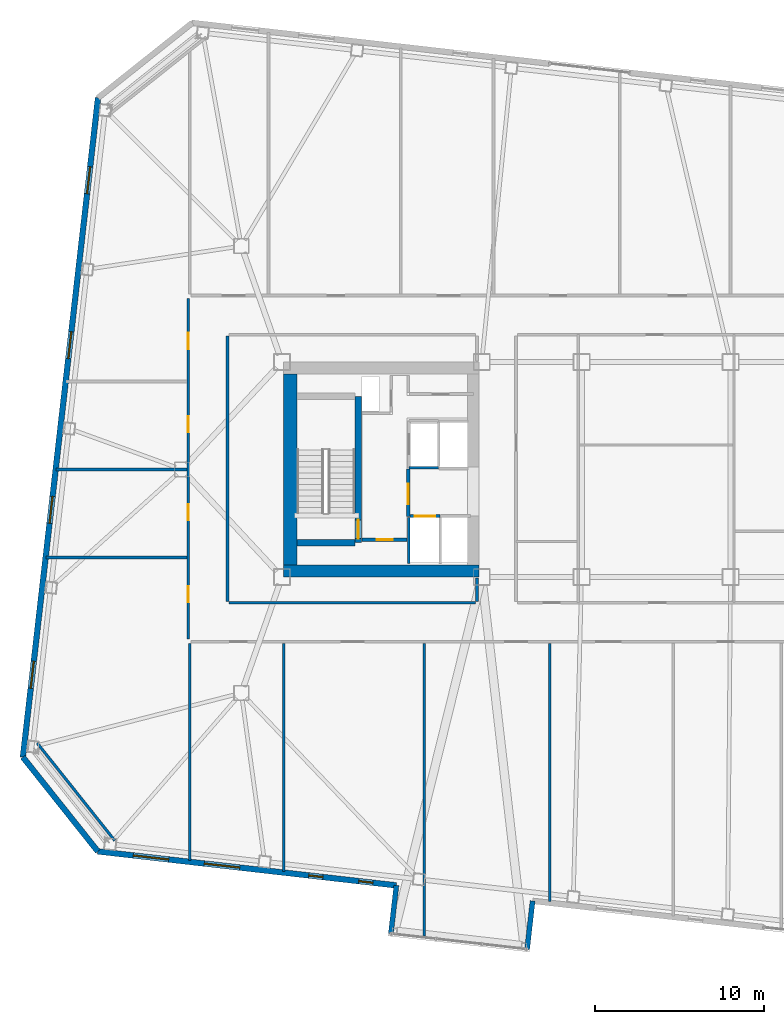
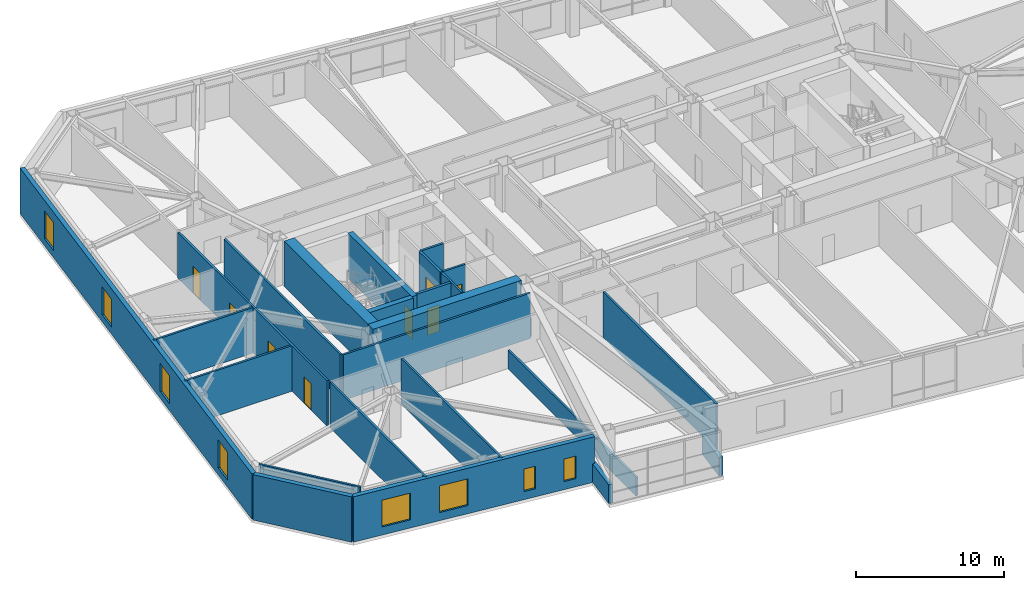
# One storey, part 12 of 22: 25 walls, 8 doors, 8 windows, 16 openings.
"""IFC4 building model written with IfcOpenShell, lengths in metres."""

from ifc_helpers import new_model, si_unit, direction, frame, frame_2d, origin, place, context, subcontext, project, spatial, rectangle, extrude, material, layer, layer_set, type_object, element, fill, save


model = new_model("IFC4")

# Units and contexts
model_context = context("Model", 3, precision=1e-05, world=origin(), true_north=direction((0.0, 1.0)))
body_context = subcontext(model_context, "Body", "Model", "MODEL_VIEW")
ifc_project = project(units=[si_unit("LENGTHUNIT", "METRE"), si_unit("AREAUNIT", "SQUARE_METRE"), si_unit("VOLUMEUNIT", "CUBIC_METRE"), si_unit("PLANEANGLEUNIT", "RADIAN"), si_unit("MASSUNIT", "GRAM", prefix="KILO")], contexts=[model_context])

# Site, building, storey
site_placement = place(None, origin())
site = spatial("IfcSite", under=ifc_project, at=site_placement, CompositionType="ELEMENT")
building_placement = place(site_placement, origin())
building = spatial("IfcBuilding", under=site, at=building_placement, Name="Tavrogorsk Clinical Tower", CompositionType="ELEMENT")
storey_placement = place(building_placement, frame((0.0, 0.0, 93.39990234375)))
storey = spatial("IfcBuildingStorey", under=building, at=storey_placement, Name="L20", CompositionType="ELEMENT", Elevation=93.39990234375)

# Wall, opening, door
ifc_material_1 = material(Name="Concrete B60", Category="concrete")
ifc_layer_1 = layer(ifc_material_1, 0.199951171875)
ifc_layer_set_1 = layer_set([ifc_layer_1], Name="Concrete B60")
wall_type_1 = type_object("IfcWallType", Name="CoreFireWall_200", PredefinedType="SOLIDWALL", material=ifc_layer_set_1)
wall_1_placement = place(storey_placement, frame((-17.3798828125, -4.139892578125, 0.0), z_axis=(0.0, 0.0, 1.0), x_axis=(1.0, 0.0, 0.0)))
wall_1 = element("IfcWall", 1, at=wall_1_placement, inside=storey, type_object=wall_type_1, Name="L20 Core West South Core Room Fire Wall", PredefinedType="SOLIDWALL", context=body_context, shape_type="SweptSolid", body=[
    extrude(rectangle(XDim=2.659912109375, YDim=0.199951171875, at=frame_2d((1.330078125, 0.0))), origin(), (0.0, 0.0, 1.0), 3.739990234375),
])
opening_1_placement = place(wall_1_placement, frame((0.8798828125, 0.0, 0.0)))
opening_1 = element("IfcOpeningElement", 2, at=opening_1_placement, cuts=wall_1, Name="Opening ID-02", PredefinedType="OPENING", context=body_context, shape_type="SweptSolid", body=[
    extrude(rectangle(XDim=0.949951171875, YDim=2.199951171875, at=frame_2d((0.47509765625, 1.10009765625))), frame((0.0, 0.10986328125, 0.0), z_axis=(0.0, -1.0, 0.0), x_axis=(1.0, 0.0, 0.0)), (0.0, 0.0, 1.0), 0.219970703125),
])
ifc_material_2 = material(Name="Laminated timber leaf on aluminium frame", Category="wood")
door_type_1 = type_object("IfcDoorType", Name="InteriorDoor_ID02_950", OperationType="NOTDEFINED", PredefinedType="DOOR", material=ifc_material_2)
door_1_placement = place(opening_1_placement, origin())
door_1 = element("IfcDoor", 3, at=door_1_placement, inside=storey, type_object=door_type_1, Name="L20 Core West South Core Room Door", OperationType="SINGLE_SWING_RIGHT", OverallHeight=2.199951171875, OverallWidth=0.949951171875, PredefinedType="DOOR", context=body_context, shape_type="SweptSolid", body=[
    extrude(rectangle(XDim=0.949951171875, YDim=2.199951171875, at=frame_2d((0.47509765625, 1.10009765625))), frame((0.0, 0.02490234375, 0.0), z_axis=(0.0, -1.0, 0.0), x_axis=(1.0, 0.0, 0.0)), (0.0, 0.0, 1.0), 0.050048828125),
])
fill(opening_1, door_1)

wall_2_placement = place(storey_placement, frame((-14.639892578125, -2.780029296875, 0.0), z_axis=(0.0, 0.0, 1.0), x_axis=(0.0, 1.0, 0.0)))
wall_2 = element("IfcWall", 4, at=wall_2_placement, inside=storey, type_object=wall_type_1, Name="L20 Core West Firefighting Lobby Fire Wall", PredefinedType="SOLIDWALL", context=body_context, shape_type="SweptSolid", body=[
    extrude(rectangle(XDim=2.820068359375, YDim=0.199951171875, at=frame_2d((1.41015625, 0.0))), origin(), (0.0, 0.0, 1.0), 3.739990234375),
])
opening_2_placement = place(wall_2_placement, frame((0.72998046875, 0.0, 0.0)))
opening_2 = element("IfcOpeningElement", 5, at=opening_2_placement, cuts=wall_2, Name="Opening FD-01", PredefinedType="OPENING", context=body_context, shape_type="SweptSolid", body=[
    extrude(rectangle(XDim=1.199951171875, YDim=2.199951171875, at=frame_2d((0.60009765625, 1.10009765625))), frame((0.0, 0.10986328125, 0.0), z_axis=(0.0, -1.0, 0.0), x_axis=(1.0, 0.0, 0.0)), (0.0, 0.0, 1.0), 0.219970703125),
])
ifc_material_3 = material(Name="Galvanised steel fire-rated door assembly", Category="steel")
door_type_2 = type_object("IfcDoorType", Name="FireDoor_FD01_1200", OperationType="NOTDEFINED", PredefinedType="DOOR", material=ifc_material_3)
door_2_placement = place(opening_2_placement, origin())
door_2 = element("IfcDoor", 6, at=door_2_placement, inside=storey, type_object=door_type_2, Name="L20 Core West Firefighting Lobby Entry Door", OperationType="SINGLE_SWING_RIGHT", OverallHeight=2.199951171875, OverallWidth=1.199951171875, PredefinedType="DOOR", context=body_context, shape_type="SweptSolid", body=[
    extrude(rectangle(XDim=1.199951171875, YDim=2.199951171875, at=frame_2d((0.60009765625, 1.10009765625))), frame((0.0, 0.02490234375, 0.0), z_axis=(0.0, -1.0, 0.0), x_axis=(1.0, 0.0, 0.0)), (0.0, 0.0, 1.0), 0.050048828125),
])
fill(opening_2, door_2)

# Wall
ifc_material_4 = material(Name="Lightweight concrete blockwork B15", Category="masonry")
ifc_layer_2 = layer(ifc_material_4, 0.159912109375)
ifc_layer_set_2 = layer_set([ifc_layer_2], Name="Lightweight concrete blockwork B15")
wall_type_2 = type_object("IfcWallType", Name="PartitionWall_160", PredefinedType="PARTITIONING", material=ifc_layer_set_2)
wall_3_placement = place(storey_placement, frame((-36.555908203125, -16.161865234375, 0.0), z_axis=(0.0, 0.0, 1.0), x_axis=(0.622522641622, -0.782601789334, 0.0)))
element("IfcWall", 7, at=wall_3_placement, inside=storey, type_object=wall_type_2, Name="L20 Corner Exoskeleton Brace Furring Wall 4", PredefinedType="PARTITIONING", context=body_context, shape_type="SweptSolid", body=[
    extrude(rectangle(XDim=7.354248046875, YDim=0.159912109375, at=frame_2d((3.67724609375, 0.0))), origin(), (0.0, 0.0, 1.0), 3.739990234375),
])

# Wall, openings, doors
wall_4_placement = place(storey_placement, frame((-27.6298828125, -10.014892578125, 0.0), z_axis=(0.0, 0.0, 1.0), x_axis=(0.0, 1.0, 0.0)))
wall_4 = element("IfcWall", 8, at=wall_4_placement, inside=storey, type_object=wall_type_2, Name="L20 Corridor Partition 01", PredefinedType="PARTITIONING", context=body_context, shape_type="SweptSolid", body=[
    extrude(rectangle(XDim=20.1298828125, YDim=0.159912109375, at=frame_2d((10.06494140625, 0.0))), origin(), (0.0, 0.0, 1.0), 3.739990234375),
])
opening_3_placement = place(wall_4_placement, frame((2.169189453125, 0.0, 0.0)))
opening_3 = element("IfcOpeningElement", 9, at=opening_3_placement, cuts=wall_4, Name="Opening ID-02", PredefinedType="OPENING", context=body_context, shape_type="SweptSolid", body=[
    extrude(rectangle(XDim=0.949951171875, YDim=2.199951171875, at=frame_2d((0.47509765625, 1.10009765625))), frame((0.0, 0.08984375, 0.0), z_axis=(0.0, -1.0, 0.0), x_axis=(1.0, 0.0, 0.0)), (0.0, 0.0, 1.0), 0.179931640625),
])
opening_4_placement = place(wall_4_placement, frame((7.02490234375, 0.0, 0.0)))
opening_4 = element("IfcOpeningElement", 10, at=opening_4_placement, cuts=wall_4, Name="Opening ID-02", PredefinedType="OPENING", context=body_context, shape_type="SweptSolid", body=[
    extrude(rectangle(XDim=0.949951171875, YDim=2.199951171875, at=frame_2d((0.47509765625, 1.10009765625))), frame((0.0, 0.08984375, 0.0), z_axis=(0.0, -1.0, 0.0), x_axis=(1.0, 0.0, 0.0)), (0.0, 0.0, 1.0), 0.179931640625),
])
opening_5_placement = place(wall_4_placement, frame((12.22509765625, 0.0, 0.0)))
opening_5 = element("IfcOpeningElement", 11, at=opening_5_placement, cuts=wall_4, Name="Opening ID-02", PredefinedType="OPENING", context=body_context, shape_type="SweptSolid", body=[
    extrude(rectangle(XDim=0.949951171875, YDim=2.199951171875, at=frame_2d((0.47509765625, 1.10009765625))), frame((0.0, 0.08984375, 0.0), z_axis=(0.0, -1.0, 0.0), x_axis=(1.0, 0.0, 0.0)), (0.0, 0.0, 1.0), 0.179931640625),
])
opening_6_placement = place(wall_4_placement, frame((17.130859375, 0.0, 0.0)))
opening_6 = element("IfcOpeningElement", 12, at=opening_6_placement, cuts=wall_4, Name="Opening ID-02", PredefinedType="OPENING", context=body_context, shape_type="SweptSolid", body=[
    extrude(rectangle(XDim=0.949951171875, YDim=2.199951171875, at=frame_2d((0.47509765625, 1.10009765625))), frame((0.0, 0.08984375, 0.0), z_axis=(0.0, -1.0, 0.0), x_axis=(1.0, 0.0, 0.0)), (0.0, 0.0, 1.0), 0.179931640625),
])
door_3_placement = place(opening_3_placement, origin())
door_3 = element("IfcDoor", 13, at=door_3_placement, inside=storey, type_object=door_type_1, Name="L20 W Solarium Day Room & Lounge 1 Door", OperationType="SINGLE_SWING_LEFT", OverallHeight=2.199951171875, OverallWidth=0.949951171875, PredefinedType="DOOR", context=body_context, shape_type="SweptSolid", body=[
    extrude(rectangle(XDim=0.949951171875, YDim=2.199951171875, at=frame_2d((0.47509765625, 1.10009765625))), frame((0.0, 0.02490234375, 0.0), z_axis=(0.0, -1.0, 0.0), x_axis=(1.0, 0.0, 0.0)), (0.0, 0.0, 1.0), 0.050048828125),
])
fill(opening_3, door_3)
door_4_placement = place(opening_4_placement, origin())
door_4 = element("IfcDoor", 14, at=door_4_placement, inside=storey, type_object=door_type_1, Name="L20 W Rehabilitation Therapy Suite 2 Door", OperationType="SINGLE_SWING_RIGHT", OverallHeight=2.199951171875, OverallWidth=0.949951171875, PredefinedType="DOOR", context=body_context, shape_type="SweptSolid", body=[
    extrude(rectangle(XDim=0.949951171875, YDim=2.199951171875, at=frame_2d((0.47509765625, 1.10009765625))), frame((0.0, 0.02490234375, 0.0), z_axis=(0.0, -1.0, 0.0), x_axis=(1.0, 0.0, 0.0)), (0.0, 0.0, 1.0), 0.050048828125),
])
fill(opening_4, door_4)
door_5_placement = place(opening_5_placement, origin())
door_5 = element("IfcDoor", 15, at=door_5_placement, inside=storey, type_object=door_type_1, Name="L20 W Sub-Acute Observation Suite 3 Door", OperationType="SINGLE_SWING_LEFT", OverallHeight=2.199951171875, OverallWidth=0.949951171875, PredefinedType="DOOR", context=body_context, shape_type="SweptSolid", body=[
    extrude(rectangle(XDim=0.949951171875, YDim=2.199951171875, at=frame_2d((0.47509765625, 1.10009765625))), frame((0.0, 0.02490234375, 0.0), z_axis=(0.0, -1.0, 0.0), x_axis=(1.0, 0.0, 0.0)), (0.0, 0.0, 1.0), 0.050048828125),
])
fill(opening_5, door_5)
door_6_placement = place(opening_6_placement, origin())
door_6 = element("IfcDoor", 16, at=door_6_placement, inside=storey, type_object=door_type_1, Name="L20 W Family Consultation Lounge 4 Door", OperationType="SINGLE_SWING_RIGHT", OverallHeight=2.199951171875, OverallWidth=0.949951171875, PredefinedType="DOOR", context=body_context, shape_type="SweptSolid", body=[
    extrude(rectangle(XDim=0.949951171875, YDim=2.199951171875, at=frame_2d((0.47509765625, 1.10009765625))), frame((0.0, 0.02490234375, 0.0), z_axis=(0.0, -1.0, 0.0), x_axis=(1.0, 0.0, 0.0)), (0.0, 0.0, 1.0), 0.050048828125),
])
fill(opening_6, door_6)

# Walls
wall_5_placement = place(storey_placement, frame((-10.580078125, -7.784912109375, 0.0), z_axis=(0.0, 0.0, 1.0), x_axis=(0.0, 1.0, 0.0)))
element("IfcWall", 17, at=wall_5_placement, inside=storey, type_object=wall_type_2, Name="L20 Corridor Partition 14", PredefinedType="PARTITIONING", context=body_context, shape_type="SweptSolid", body=[
    extrude(rectangle(XDim=1.364990234375, YDim=0.159912109375, at=frame_2d((0.6826171875, 0.0))), origin(), (0.0, 0.0, 1.0), 1.53515625),
])
wall_6_placement = place(storey_placement, frame((-25.320068359375, 7.885009765625, 0.0), z_axis=(0.0, 0.0, 1.0), x_axis=(0.0, -1.0, 0.0)))
element("IfcWall", 18, at=wall_6_placement, inside=storey, type_object=wall_type_2, Name="L20 Corridor Partition 17", PredefinedType="PARTITIONING", context=body_context, shape_type="SweptSolid", body=[
    extrude(rectangle(XDim=15.669921875, YDim=0.159912109375, at=frame_2d((7.8349609375, 0.0))), origin(), (0.0, 0.0, 1.0), 3.739990234375),
])
wall_7_placement = place(storey_placement, frame((-25.235107421875, -7.8701171875, 0.0), z_axis=(0.0, 0.0, 1.0), x_axis=(1.0, 0.0, 0.0)))
element("IfcWall", 19, at=wall_7_placement, inside=storey, type_object=wall_type_2, Name="L20 Corridor Partition 18", PredefinedType="PARTITIONING", context=body_context, shape_type="SweptSolid", body=[
    extrude(rectangle(XDim=14.570068359375, YDim=0.159912109375, at=frame_2d((7.28515625, 0.0))), origin(), (0.0, 0.0, 1.0), 3.739990234375),
])
wall_8_placement = place(storey_placement, frame((-27.550048828125, -23.1064453125, 0.0), z_axis=(0.0, 0.0, 1.0), x_axis=(0.0, 1.0, 0.0)))
element("IfcWall", 20, at=wall_8_placement, inside=storey, type_object=wall_type_2, Name="L20 SW Wing Closure Partition", PredefinedType="PARTITIONING", context=body_context, shape_type="SweptSolid", body=[
    extrude(rectangle(XDim=12.841552734375, YDim=0.159912109375, at=frame_2d((6.4208984375, 0.0))), origin(), (0.0, 0.0, 1.0), 3.739990234375),
])
wall_9_placement = place(storey_placement, frame((-22.0, -23.739013671875, 0.0), z_axis=(0.0, 0.0, 1.0), x_axis=(0.0, 1.0, 0.0)))
element("IfcWall", 21, at=wall_9_placement, inside=storey, type_object=wall_type_2, Name="L20 South Room Partition 1", PredefinedType="PARTITIONING", context=body_context, shape_type="SweptSolid", body=[
    extrude(rectangle(XDim=13.47412109375, YDim=0.159912109375, at=frame_2d((6.737060546875, 0.0))), origin(), (0.0, 0.0, 1.0), 3.739990234375),
])
wall_10_placement = place(storey_placement, frame((-6.287109375, -25.529052734375, 0.0), z_axis=(0.0, 0.0, 1.0), x_axis=(0.0, 1.0, 0.0)))
element("IfcWall", 22, at=wall_10_placement, inside=storey, type_object=wall_type_2, Name="L20 South Room Partition 2", PredefinedType="PARTITIONING", context=body_context, shape_type="SweptSolid", body=[
    extrude(rectangle(XDim=15.26416015625, YDim=0.159912109375, at=frame_2d((7.632080078125, 0.0))), origin(), (0.0, 0.0, 1.0), 3.739990234375),
])
wall_11_placement = place(storey_placement, frame((-13.694091796875, -27.5537109375, 0.0), z_axis=(0.0, 0.0, 1.0), x_axis=(0.0, 1.0, 0.0)))
element("IfcWall", 23, at=wall_11_placement, inside=storey, type_object=wall_type_2, Name="L20 South Sub-Partition 2", PredefinedType="PARTITIONING", context=body_context, shape_type="SweptSolid", body=[
    extrude(rectangle(XDim=17.288818359375, YDim=0.159912109375, at=frame_2d((8.64453125, 0.0))), origin(), (0.0, 0.0, 1.0), 1.53515625),
])
wall_12_placement = place(storey_placement, frame((-36.0419921875, -5.199951171875, 0.0), z_axis=(0.0, 0.0, 1.0), x_axis=(1.0, 0.0, 0.0)))
element("IfcWall", 24, at=wall_12_placement, inside=storey, type_object=wall_type_2, Name="L20 W Wing Divider 1", PredefinedType="PARTITIONING", context=body_context, shape_type="SweptSolid", body=[
    extrude(rectangle(XDim=8.326904296875, YDim=0.159912109375, at=frame_2d((4.16357421875, 0.0))), origin(), (0.0, 0.0, 1.0), 3.739990234375),
])
wall_13_placement = place(storey_placement, frame((-35.449462890625, 0.0, 0.0), z_axis=(0.0, 0.0, 1.0), x_axis=(1.0, 0.0, 0.0)))
element("IfcWall", 25, at=wall_13_placement, inside=storey, type_object=wall_type_2, Name="L20 W Wing Divider 2", PredefinedType="PARTITIONING", context=body_context, shape_type="SweptSolid", body=[
    extrude(rectangle(XDim=7.734375, YDim=0.159912109375, at=frame_2d((3.8671875, 0.0))), origin(), (0.0, 0.0, 1.0), 3.739990234375),
])

# Wall, openings, windows
ifc_material_5 = material(Name="Precast concrete B45 with limestone cladding", Category="masonry")
ifc_layer_3 = layer(ifc_material_5, 0.340087890625)
ifc_layer_set_3 = layer_set([ifc_layer_3], Name="Precast concrete B45 with limestone cladding")
wall_type_3 = type_object("IfcWallType", Name="PrecastLimestoneWall_340", PredefinedType="STANDARD", material=ifc_layer_set_3)
wall_14_placement = place(storey_placement, frame((-32.977294921875, -22.55859375, 0.0), z_axis=(0.0, 0.0, 1.0), x_axis=(0.993570699365, -0.113213362125, 0.0)))
wall_14 = element("IfcWall", 26, at=wall_14_placement, inside=storey, type_object=wall_type_3, Name="L20 S Limestone Facade Wall 1", PredefinedType="STANDARD", context=body_context, shape_type="SweptSolid", body=[
    extrude(rectangle(XDim=17.749755859375, YDim=0.340087890625, at=frame_2d((8.875, 0.0))), origin(), (0.0, 0.0, 1.0), 3.739990234375),
])
opening_7_placement = place(wall_14_placement, frame((2.10791015625, 0.0, 0.669921875)))
opening_7 = element("IfcOpeningElement", 27, at=opening_7_placement, cuts=wall_14, Name="Opening WN-03", PredefinedType="OPENING", context=body_context, shape_type="SweptSolid", body=[
    extrude(rectangle(XDim=2.10009765625, YDim=2.199951171875, at=frame_2d((1.050048828125, 1.10009765625))), frame((0.0, 0.179931640625, 0.0), z_axis=(0.0, -1.0, 0.0), x_axis=(1.0, 0.0, 0.0)), (0.0, 0.0, 1.0), 0.360107421875),
])
opening_8_placement = place(wall_14_placement, frame((6.329345703125, 0.0, 0.669921875)))
opening_8 = element("IfcOpeningElement", 28, at=opening_8_placement, cuts=wall_14, Name="Opening WN-03", PredefinedType="OPENING", context=body_context, shape_type="SweptSolid", body=[
    extrude(rectangle(XDim=2.10009765625, YDim=2.199951171875, at=frame_2d((1.050048828125, 1.10009765625))), frame((0.0, 0.179931640625, 0.0), z_axis=(0.0, -1.0, 0.0), x_axis=(1.0, 0.0, 0.0)), (0.0, 0.0, 1.0), 0.360107421875),
])
opening_9_placement = place(wall_14_placement, frame((12.534912109375, 0.0, 0.669921875)))
opening_9 = element("IfcOpeningElement", 29, at=opening_9_placement, cuts=wall_14, Name="Opening WN-06", PredefinedType="OPENING", context=body_context, shape_type="SweptSolid", body=[
    extrude(rectangle(XDim=0.85009765625, YDim=1.85009765625, at=frame_2d((0.425048828125, 0.925048828125))), frame((0.0, 0.179931640625, 0.0), z_axis=(0.0, -1.0, 0.0), x_axis=(1.0, 0.0, 0.0)), (0.0, 0.0, 1.0), 0.360107421875),
])
opening_10_placement = place(wall_14_placement, frame((15.50634765625, 0.0, 0.669921875)))
opening_10 = element("IfcOpeningElement", 30, at=opening_10_placement, cuts=wall_14, Name="Opening WN-06", PredefinedType="OPENING", context=body_context, shape_type="SweptSolid", body=[
    extrude(rectangle(XDim=0.85009765625, YDim=1.85009765625, at=frame_2d((0.425048828125, 0.925048828125))), frame((0.0, 0.179931640625, 0.0), z_axis=(0.0, -1.0, 0.0), x_axis=(1.0, 0.0, 0.0)), (0.0, 0.0, 1.0), 0.360107421875),
])
ifc_material_6 = material(Name="Thermally broken aluminium frame and triple IGU", Category="aluminium")
window_type_1 = type_object("IfcWindowType", Name="MullionSubWin_850x1850", PartitioningType="SINGLE_PANEL", PredefinedType="WINDOW", material=ifc_material_6)
window_1_placement = place(opening_9_placement, origin())
window_1 = element("IfcWindow", 31, at=window_1_placement, inside=storey, type_object=window_type_1, Name="L20 S Mullion Split Window 03B", OverallHeight=1.85009765625, OverallWidth=0.85009765625, PartitioningType="SINGLE_PANEL", PredefinedType="WINDOW", context=body_context, shape_type="SweptSolid", body=[
    extrude(rectangle(XDim=0.85009765625, YDim=1.85009765625, at=frame_2d((0.425048828125, 0.925048828125))), frame((0.0, 0.030029296875, 0.0), z_axis=(0.0, -1.0, 0.0), x_axis=(1.0, 0.0, 0.0)), (0.0, 0.0, 1.0), 0.06005859375),
])
fill(opening_9, window_1)
window_2_placement = place(opening_10_placement, origin())
window_2 = element("IfcWindow", 32, at=window_2_placement, inside=storey, type_object=window_type_1, Name="L20 S Mullion Split Window 04A", OverallHeight=1.85009765625, OverallWidth=0.85009765625, PartitioningType="SINGLE_PANEL", PredefinedType="WINDOW", context=body_context, shape_type="SweptSolid", body=[
    extrude(rectangle(XDim=0.85009765625, YDim=1.85009765625, at=frame_2d((0.425048828125, 0.925048828125))), frame((0.0, 0.030029296875, 0.0), z_axis=(0.0, -1.0, 0.0), x_axis=(1.0, 0.0, 0.0)), (0.0, 0.0, 1.0), 0.06005859375),
])
fill(opening_10, window_2)
ifc_material_7 = material(Name="Thermally broken aluminium frame and triple IGU", Category="aluminium")
window_type_2 = type_object("IfcWindowType", Name="PatientTwinWin_2100x2200", PartitioningType="DOUBLE_PANEL_VERTICAL", PredefinedType="WINDOW", material=ifc_material_7)
window_3_placement = place(opening_7_placement, origin())
window_3 = element("IfcWindow", 33, at=window_3_placement, inside=storey, type_object=window_type_2, Name="L20 S Chicago Window 01", OverallHeight=2.199951171875, OverallWidth=2.10009765625, PartitioningType="SINGLE_PANEL", PredefinedType="WINDOW", context=body_context, shape_type="SweptSolid", body=[
    extrude(rectangle(XDim=2.10009765625, YDim=2.199951171875, at=frame_2d((1.050048828125, 1.10009765625))), frame((0.0, 0.030029296875, 0.0), z_axis=(0.0, -1.0, 0.0), x_axis=(1.0, 0.0, 0.0)), (0.0, 0.0, 1.0), 0.06005859375),
])
fill(opening_7, window_3)
window_4_placement = place(opening_8_placement, origin())
window_4 = element("IfcWindow", 34, at=window_4_placement, inside=storey, type_object=window_type_2, Name="L20 S Chicago Window 02", OverallHeight=2.199951171875, OverallWidth=2.10009765625, PartitioningType="SINGLE_PANEL", PredefinedType="WINDOW", context=body_context, shape_type="SweptSolid", body=[
    extrude(rectangle(XDim=2.10009765625, YDim=2.199951171875, at=frame_2d((1.050048828125, 1.10009765625))), frame((0.0, 0.030029296875, 0.0), z_axis=(0.0, -1.0, 0.0), x_axis=(1.0, 0.0, 0.0)), (0.0, 0.0, 1.0), 0.06005859375),
])
fill(opening_8, window_4)

wall_15_placement = place(storey_placement, frame((-32.968017578125, 21.95654296875, 0.0), z_axis=(0.0, 0.0, 1.0), x_axis=(-0.113201605824, -0.993572038877, 0.0)))
wall_15 = element("IfcWall", 35, at=wall_15_placement, inside=storey, type_object=wall_type_3, Name="L20 W Pleated Limestone Wing Wall", PredefinedType="STANDARD", context=body_context, shape_type="SweptSolid", body=[
    extrude(rectangle(XDim=39.199951171875, YDim=0.340087890625, at=frame_2d((19.60009765625, 0.0))), origin(), (0.0, 0.0, 1.0), 3.739990234375),
])
opening_11_placement = place(wall_15_placement, frame((4.10009765625, 0.0, 0.580078125)))
opening_11 = element("IfcOpeningElement", 36, at=opening_11_placement, cuts=wall_15, Name="Opening WN-07", PredefinedType="OPENING", context=body_context, shape_type="SweptSolid", body=[
    extrude(rectangle(XDim=1.60009765625, YDim=2.300048828125, at=frame_2d((0.800048828125, 1.14990234375))), frame((0.0, 0.179931640625, 0.0), z_axis=(0.0, -1.0, 0.0), x_axis=(1.0, 0.0, 0.0)), (0.0, 0.0, 1.0), 0.360107421875),
])
opening_12_placement = place(wall_15_placement, frame((13.89990234375, 0.0, 0.580078125)))
opening_12 = element("IfcOpeningElement", 37, at=opening_12_placement, cuts=wall_15, Name="Opening WN-07", PredefinedType="OPENING", context=body_context, shape_type="SweptSolid", body=[
    extrude(rectangle(XDim=1.60009765625, YDim=2.300048828125, at=frame_2d((0.800048828125, 1.14990234375))), frame((0.0, 0.179931640625, 0.0), z_axis=(0.0, -1.0, 0.0), x_axis=(1.0, 0.0, 0.0)), (0.0, 0.0, 1.0), 0.360107421875),
])
opening_13_placement = place(wall_15_placement, frame((23.699951171875, 0.0, 0.580078125)))
opening_13 = element("IfcOpeningElement", 38, at=opening_13_placement, cuts=wall_15, Name="Opening WN-07", PredefinedType="OPENING", context=body_context, shape_type="SweptSolid", body=[
    extrude(rectangle(XDim=1.60009765625, YDim=2.300048828125, at=frame_2d((0.800048828125, 1.14990234375))), frame((0.0, 0.179931640625, 0.0), z_axis=(0.0, -1.0, 0.0), x_axis=(1.0, 0.0, 0.0)), (0.0, 0.0, 1.0), 0.360107421875),
])
opening_14_placement = place(wall_15_placement, frame((33.5, 0.0, 0.580078125)))
opening_14 = element("IfcOpeningElement", 39, at=opening_14_placement, cuts=wall_15, Name="Opening WN-07", PredefinedType="OPENING", context=body_context, shape_type="SweptSolid", body=[
    extrude(rectangle(XDim=1.60009765625, YDim=2.300048828125, at=frame_2d((0.800048828125, 1.14990234375))), frame((0.0, 0.179931640625, 0.0), z_axis=(0.0, -1.0, 0.0), x_axis=(1.0, 0.0, 0.0)), (0.0, 0.0, 1.0), 0.360107421875),
])
ifc_material_8 = material(Name="Thermally broken aluminium frame and triple IGU", Category="aluminium")
window_type_3 = type_object("IfcWindowType", Name="PleatSlotWin_1600x2300", PartitioningType="SINGLE_PANEL", PredefinedType="WINDOW", material=ifc_material_8)
window_5_placement = place(opening_11_placement, origin())
window_5 = element("IfcWindow", 40, at=window_5_placement, inside=storey, type_object=window_type_3, Name="L20 W Pleat Slot Window 1", OverallHeight=2.300048828125, OverallWidth=1.60009765625, PartitioningType="SINGLE_PANEL", PredefinedType="WINDOW", context=body_context, shape_type="SweptSolid", body=[
    extrude(rectangle(XDim=1.60009765625, YDim=2.300048828125, at=frame_2d((0.800048828125, 1.14990234375))), frame((0.0, 0.030029296875, 0.0), z_axis=(0.0, -1.0, 0.0), x_axis=(1.0, 0.0, 0.0)), (0.0, 0.0, 1.0), 0.06005859375),
])
fill(opening_11, window_5)
window_6_placement = place(opening_12_placement, origin())
window_6 = element("IfcWindow", 41, at=window_6_placement, inside=storey, type_object=window_type_3, Name="L20 W Pleat Slot Window 2", OverallHeight=2.300048828125, OverallWidth=1.60009765625, PartitioningType="SINGLE_PANEL", PredefinedType="WINDOW", context=body_context, shape_type="SweptSolid", body=[
    extrude(rectangle(XDim=1.60009765625, YDim=2.300048828125, at=frame_2d((0.800048828125, 1.14990234375))), frame((0.0, 0.030029296875, 0.0), z_axis=(0.0, -1.0, 0.0), x_axis=(1.0, 0.0, 0.0)), (0.0, 0.0, 1.0), 0.06005859375),
])
fill(opening_12, window_6)
window_7_placement = place(opening_13_placement, origin())
window_7 = element("IfcWindow", 42, at=window_7_placement, inside=storey, type_object=window_type_3, Name="L20 W Pleat Slot Window 3", OverallHeight=2.300048828125, OverallWidth=1.60009765625, PartitioningType="SINGLE_PANEL", PredefinedType="WINDOW", context=body_context, shape_type="SweptSolid", body=[
    extrude(rectangle(XDim=1.60009765625, YDim=2.300048828125, at=frame_2d((0.800048828125, 1.14990234375))), frame((0.0, 0.030029296875, 0.0), z_axis=(0.0, -1.0, 0.0), x_axis=(1.0, 0.0, 0.0)), (0.0, 0.0, 1.0), 0.06005859375),
])
fill(opening_13, window_7)
window_8_placement = place(opening_14_placement, origin())
window_8 = element("IfcWindow", 43, at=window_8_placement, inside=storey, type_object=window_type_3, Name="L20 W Pleat Slot Window 4", OverallHeight=2.300048828125, OverallWidth=1.60009765625, PartitioningType="SINGLE_PANEL", PredefinedType="WINDOW", context=body_context, shape_type="SweptSolid", body=[
    extrude(rectangle(XDim=1.60009765625, YDim=2.300048828125, at=frame_2d((0.800048828125, 1.14990234375))), frame((0.0, 0.030029296875, 0.0), z_axis=(0.0, -1.0, 0.0), x_axis=(1.0, 0.0, 0.0)), (0.0, 0.0, 1.0), 0.06005859375),
])
fill(opening_14, window_8)

# Walls
wall_16_placement = place(storey_placement, frame((-37.405517578125, -16.991455078125, 0.0), z_axis=(0.0, 0.0, 1.0), x_axis=(0.622507800567, -0.78261359446, 0.0)))
element("IfcWall", 44, at=wall_16_placement, inside=storey, type_object=wall_type_3, Name="L20 Chamfered Corner Wall 4", PredefinedType="STANDARD", context=body_context, shape_type="SweptSolid", body=[
    extrude(rectangle(XDim=7.113525390625, YDim=0.340087890625, at=frame_2d((3.556640625, 0.0))), origin(), (0.0, 0.0, 1.0), 3.739990234375),
])
ifc_material_9 = material(Name="Lightweight concrete blockwork B25", Category="masonry")
ifc_layer_4 = layer(ifc_material_9, 0.159912109375)
ifc_layer_set_4 = layer_set([ifc_layer_4], Name="Lightweight concrete blockwork B25")
wall_type_4 = type_object("IfcWallType", Name="ShaftWall_160", PredefinedType="PARTITIONING", material=ifc_layer_set_4)
wall_17_placement = place(storey_placement, frame((-14.60009765625, 0.10009765625, 0.0), z_axis=(0.0, 0.0, 1.0), x_axis=(1.0, 0.0, 0.0)))
element("IfcWall", 45, at=wall_17_placement, inside=storey, type_object=wall_type_4, Name="L20 FFL-W Shaft South Wall", PredefinedType="PARTITIONING", context=body_context, shape_type="SweptSolid", body=[
    extrude(rectangle(XDim=1.760009765625, YDim=0.159912109375, at=frame_2d((0.8798828125, 0.0))), origin(), (0.0, 0.0, 1.0), 3.739990234375),
])

# Wall, opening, door
wall_18_placement = place(storey_placement, frame((-14.530029296875, -2.75, 0.0), z_axis=(0.0, 0.0, 1.0), x_axis=(1.0, 0.0, 0.0)))
wall_18 = element("IfcWall", 46, at=wall_18_placement, inside=storey, type_object=wall_type_4, Name="L20 LP-L1 Lift Shaft Portal Wall", PredefinedType="PARTITIONING", context=body_context, shape_type="SweptSolid", body=[
    extrude(rectangle(XDim=1.760009765625, YDim=0.159912109375, at=frame_2d((0.8798828125, 0.0))), origin(), (0.0, 0.0, 1.0), 3.739990234375),
])
opening_15_placement = place(wall_18_placement, frame((0.280029296875, 0.0, 0.0)))
opening_15 = element("IfcOpeningElement", 47, at=opening_15_placement, cuts=wall_18, Name="Opening LD", PredefinedType="OPENING", context=body_context, shape_type="SweptSolid", body=[
    extrude(rectangle(XDim=1.199951171875, YDim=2.199951171875, at=frame_2d((0.60009765625, 1.10009765625))), frame((0.0, 0.08984375, 0.0), z_axis=(0.0, -1.0, 0.0), x_axis=(1.0, 0.0, 0.0)), (0.0, 0.0, 1.0), 0.179931640625),
])
ifc_material_10 = material(Name="Brushed stainless steel AISI 304 sliding doors", Category="steel")
door_type_3 = type_object("IfcDoorType", Name="LiftLandingDoor_LD_1200", OperationType="SLIDING_TO_LEFT", PredefinedType="DOOR", material=ifc_material_10)
door_7_placement = place(opening_15_placement, origin())
door_7 = element("IfcDoor", 48, at=door_7_placement, inside=storey, type_object=door_type_3, Name="L20 LP-L1 Sliding Lift Landing Door", OperationType="SLIDING_TO_LEFT", OverallHeight=2.199951171875, OverallWidth=1.199951171875, PredefinedType="DOOR", context=body_context, shape_type="SweptSolid", body=[
    extrude(rectangle(XDim=1.199951171875, YDim=2.199951171875, at=frame_2d((0.60009765625, 1.10009765625))), frame((0.0, 0.02490234375, 0.0), z_axis=(0.0, -1.0, 0.0), x_axis=(1.0, 0.0, 0.0)), (0.0, 0.0, 1.0), 0.050048828125),
])
fill(opening_15, door_7)

# Wall
wall_19_placement = place(storey_placement, frame((-14.610107421875, -5.5400390625, 0.0), z_axis=(0.0, 0.0, 1.0), x_axis=(0.0, 1.0, 0.0)))
element("IfcWall", 49, at=wall_19_placement, inside=storey, type_object=wall_type_4, Name="L20 LP-L1 Lift Hoistway Outer Cheek Wall", PredefinedType="PARTITIONING", context=body_context, shape_type="SweptSolid", body=[
    extrude(rectangle(XDim=2.699951171875, YDim=0.159912109375, at=frame_2d((1.35009765625, 0.0))), origin(), (0.0, 0.0, 1.0), 3.739990234375),
])

# Wall, opening, door
ifc_material_11 = material(Name="Concrete B80", Category="concrete")
ifc_layer_5 = layer(ifc_material_11, 0.39990234375)
ifc_layer_set_5 = layer_set([ifc_layer_5], Name="Concrete B80")
wall_type_5 = type_object("IfcWallType", Name="ShearWall_400", PredefinedType="SHEAR", material=ifc_layer_set_5)
wall_20_placement = place(storey_placement, frame((-17.60009765625, -4.324951171875, 0.0), z_axis=(0.0, 0.0, 1.0), x_axis=(0.0, 1.0, 0.0)))
wall_20 = element("IfcWall", 50, at=wall_20_placement, inside=storey, type_object=wall_type_5, Name="L20 Core West Stair Shaft Inner Shear Wall", PredefinedType="SHEAR", context=body_context, shape_type="SweptSolid", body=[
    extrude(rectangle(XDim=8.64990234375, YDim=0.39990234375, at=frame_2d((4.324951171875, 0.0))), origin(), (0.0, 0.0, 1.0), 3.739990234375),
])
opening_16_placement = place(wall_20_placement, frame((0.25, 0.0, 0.0)))
opening_16 = element("IfcOpeningElement", 51, at=opening_16_placement, cuts=wall_20, Name="Opening SD-01", PredefinedType="OPENING", context=body_context, shape_type="SweptSolid", body=[
    extrude(rectangle(XDim=1.10009765625, YDim=2.199951171875, at=frame_2d((0.550048828125, 1.10009765625))), frame((0.0, 0.2099609375, 0.0), z_axis=(0.0, -1.0, 0.0), x_axis=(1.0, 0.0, 0.0)), (0.0, 0.0, 1.0), 0.419921875),
])
ifc_material_12 = material(Name="Galvanised steel smoke-tight fire door assembly", Category="steel")
door_type_4 = type_object("IfcDoorType", Name="StairFireDoor_SD01_1100", OperationType="NOTDEFINED", PredefinedType="DOOR", material=ifc_material_12)
door_8_placement = place(opening_16_placement, origin())
door_8 = element("IfcDoor", 52, at=door_8_placement, inside=storey, type_object=door_type_4, Name="L20 ST-W Exit Stair Door", OperationType="SINGLE_SWING_LEFT", OverallHeight=2.199951171875, OverallWidth=1.10009765625, PredefinedType="DOOR", context=body_context, shape_type="SweptSolid", body=[
    extrude(rectangle(XDim=1.10009765625, YDim=2.199951171875, at=frame_2d((0.550048828125, 1.10009765625))), frame((0.0, 0.02490234375, 0.0), z_axis=(0.0, -1.0, 0.0), x_axis=(1.0, 0.0, 0.0)), (0.0, 0.0, 1.0), 0.050048828125),
])
fill(opening_16, door_8)

# Walls
wall_21_placement = place(storey_placement, frame((-21.199951171875, -4.324951171875, 0.0), z_axis=(0.0, 0.0, 1.0), x_axis=(1.0, 0.0, 0.0)))
element("IfcWall", 53, at=wall_21_placement, inside=storey, type_object=wall_type_5, Name="L20 Core West Stair Shaft South Shear Wall", PredefinedType="SHEAR", context=body_context, shape_type="SweptSolid", body=[
    extrude(rectangle(XDim=3.39990234375, YDim=0.39990234375, at=frame_2d((1.699951171875, 0.0))), origin(), (0.0, 0.0, 1.0), 3.739990234375),
])
ifc_material_13 = material(Name="Concrete B80", Category="concrete")
ifc_layer_6 = layer(ifc_material_13, 0.699951171875)
ifc_layer_set_6 = layer_set([ifc_layer_6], Name="Concrete B80")
wall_type_6 = type_object("IfcWallType", Name="ShearWall_700", PredefinedType="SHEAR", material=ifc_layer_set_6)
wall_22_placement = place(storey_placement, frame((-22.0, -6.0, 0.0), z_axis=(0.0, 0.0, 1.0), x_axis=(1.0, 0.0, 0.0)))
element("IfcWall", 54, at=wall_22_placement, inside=storey, type_object=wall_type_6, Name="L20 Core West South Shear Wall", PredefinedType="SHEAR", context=body_context, shape_type="SweptSolid", body=[
    extrude(rectangle(XDim=11.550048828125, YDim=0.699951171875, at=frame_2d((5.77490234375, 0.0))), origin(), (0.0, 0.0, 1.0), 3.739990234375),
])
ifc_material_14 = material(Name="Concrete B80", Category="concrete")
ifc_layer_7 = layer(ifc_material_14, 0.800048828125)
ifc_layer_set_7 = layer_set([ifc_layer_7], Name="Concrete B80")
wall_type_7 = type_object("IfcWallType", Name="ShearWall_800", PredefinedType="SHEAR", material=ifc_layer_set_7)
wall_23_placement = place(storey_placement, frame((-21.60009765625, -5.64990234375, 0.0), z_axis=(0.0, 0.0, 1.0), x_axis=(0.0, 1.0, 0.0)))
element("IfcWall", 55, at=wall_23_placement, inside=storey, type_object=wall_type_7, Name="L20 Core West End Shear Wall", PredefinedType="SHEAR", context=body_context, shape_type="SweptSolid", body=[
    extrude(rectangle(XDim=11.2998046875, YDim=0.800048828125, at=frame_2d((5.64990234375, 0.0))), origin(), (0.0, 0.0, 1.0), 3.739990234375),
])
ifc_material_15 = material(Name="Precast concrete B45 with mineral wool", Category="concrete")
ifc_layer_8 = layer(ifc_material_15, 0.300048828125)
ifc_layer_set_8 = layer_set([ifc_layer_8], Name="Precast concrete B45 with mineral wool")
wall_type_8 = type_object("IfcWallType", Name="SpandrelBackWall_300", PredefinedType="STANDARD", material=ifc_layer_set_8)
wall_24_placement = place(storey_placement, frame((-15.341552734375, -24.56787109375, 0.0), z_axis=(0.0, 0.0, 1.0), x_axis=(-0.113138727493, -0.99357920084, 0.0)))
element("IfcWall", 56, at=wall_24_placement, inside=storey, type_object=wall_type_8, Name="L20 Day-Room Cheek Wall DRB-03-L", PredefinedType="STANDARD", context=body_context, shape_type="SweptSolid", body=[
    extrude(rectangle(XDim=2.869873046875, YDim=0.300048828125, at=frame_2d((1.43505859375, 0.0))), origin(), (0.0, 0.0, 1.0), 1.53515625),
])
wall_25_placement = place(storey_placement, frame((-7.29345703125, -25.48486328125, 0.0), z_axis=(0.0, 0.0, 1.0), x_axis=(-0.113222704107, -0.993569634839, 0.0)))
element("IfcWall", 57, at=wall_25_placement, inside=storey, type_object=wall_type_8, Name="L20 Day-Room Cheek Wall DRB-03-R", PredefinedType="STANDARD", context=body_context, shape_type="SweptSolid", body=[
    extrude(rectangle(XDim=2.8701171875, YDim=0.300048828125, at=frame_2d((1.43505859375, 0.0))), origin(), (0.0, 0.0, 1.0), 1.53515625),
])

save(model, "model.ifc")
